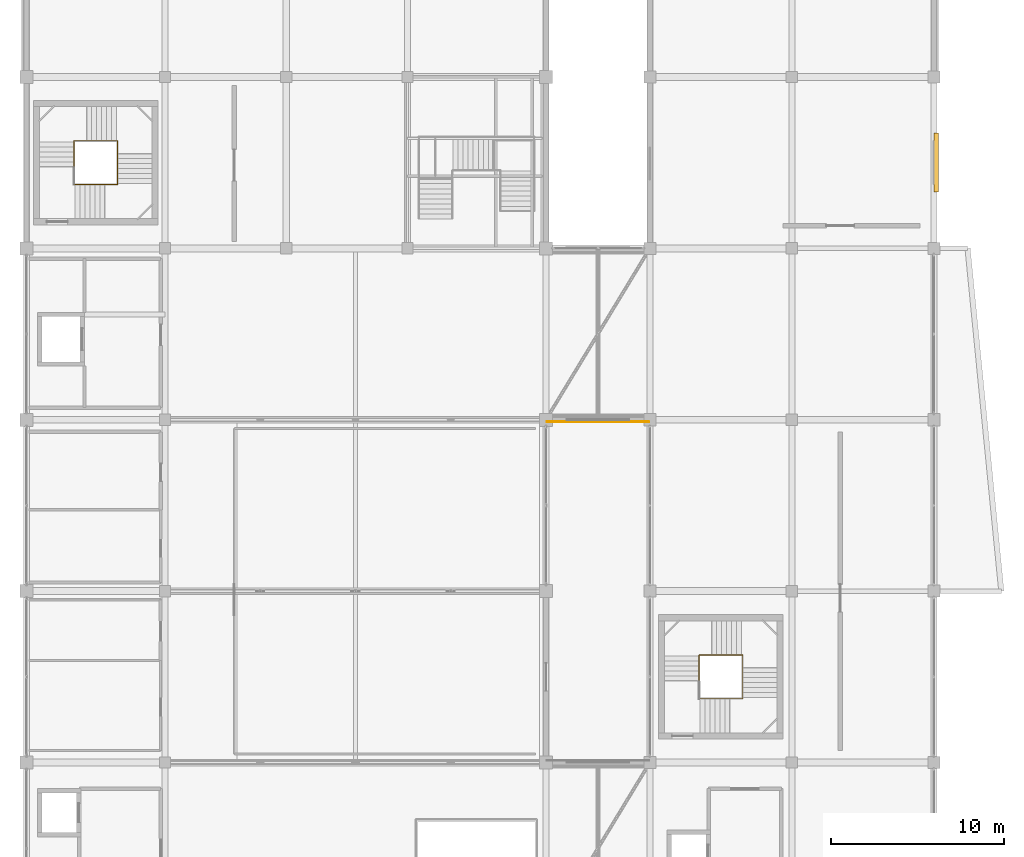
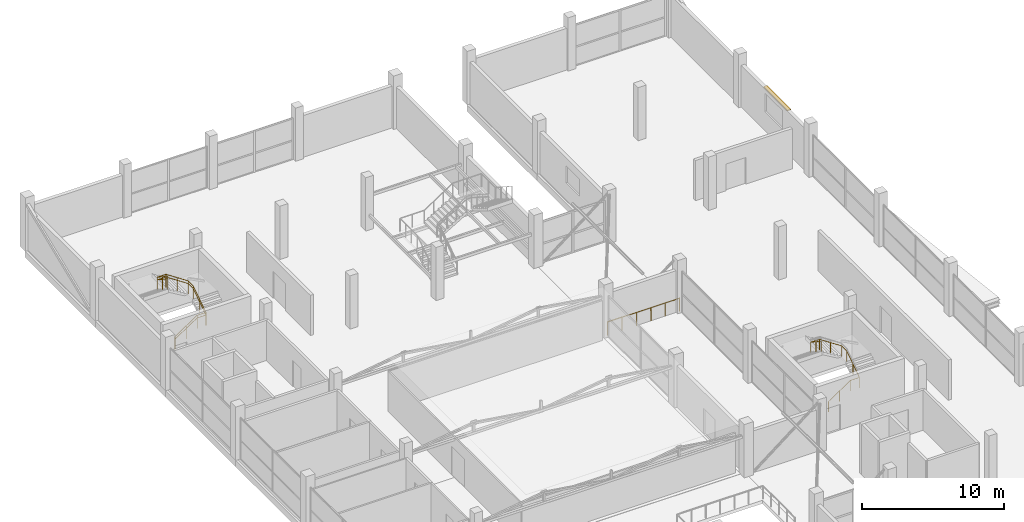
# One storey, part 69 of 69: 4 railings, 1 shading device.
"""IFC4 building model written with IfcOpenShell, lengths in metres."""

from ifc_helpers import new_model, si_unit, direction, frame, origin, origin_2d, place, context, subcontext, project, spatial, rectangle, circle, extrude, material, type_object, element, save


model = new_model("IFC4")

# Units and contexts
model_context = context("Model", 3, precision=1e-05, world=origin(), true_north=direction((0.0, 1.0)))
body_context = subcontext(model_context, "Body", "Model", "MODEL_VIEW")
ifc_project = project(units=[si_unit("LENGTHUNIT", "METRE"), si_unit("AREAUNIT", "SQUARE_METRE"), si_unit("VOLUMEUNIT", "CUBIC_METRE"), si_unit("PLANEANGLEUNIT", "RADIAN"), si_unit("MASSUNIT", "GRAM", prefix="KILO")], contexts=[model_context])

# Site, building, storey
site_placement = place(None, origin())
site = spatial("IfcSite", under=ifc_project, at=site_placement, CompositionType="ELEMENT")
building_placement = place(site_placement, origin())
building = spatial("IfcBuilding", under=site, at=building_placement, Name="Sillaruma Civic Art Gallery", CompositionType="ELEMENT")
storey_placement = place(building_placement, frame((0.0, 0.0, 42.330078125)))
storey = spatial("IfcBuildingStorey", under=building, at=storey_placement, Name="L08", CompositionType="ELEMENT", Elevation=42.330078125)

# Railings
ifc_material_1 = material(Name="Stainless Steel AISI 316", Category="steel")
railing_type_1 = type_object("IfcRailingType", Name="RAL-BAL-1150", PredefinedType="BALUSTRADE", material=ifc_material_1)
railing_1_placement = place(storey_placement, frame((92.06005859375, 69.179931640625, 0.0)))
element("IfcRailing", 1, at=railing_1_placement, inside=storey, type_object=railing_type_1, Name="Sculpture Terrace Balustrade (SLB-L08-TER-CM-2)", PredefinedType="BALUSTRADE", context=body_context, shape_type="SweptSolid", body=[
    extrude(circle(Radius=0.02392578125, at=origin_2d()), frame((0.0, 0.0, 1.1259765625), z_axis=(1.0, 0.0, 0.0), x_axis=(0.0, 1.0, 0.0)), (0.0, 0.0, 1.0), 5.8798828125),
    extrude(circle(Radius=0.02099609375, at=origin_2d()), origin(), (0.0, 0.0, 1.0), 1.101806640625),
    extrude(circle(Radius=0.02099609375, at=origin_2d()), frame((1.176025390625, 0.0, 0.0)), (0.0, 0.0, 1.0), 1.101806640625),
    extrude(circle(Radius=0.02099609375, at=origin_2d()), frame((2.35205078125, 0.0, 0.0)), (0.0, 0.0, 1.0), 1.101806640625),
    extrude(circle(Radius=0.02099609375, at=origin_2d()), frame((3.52783203125, 0.0, 0.0)), (0.0, 0.0, 1.0), 1.101806640625),
    extrude(circle(Radius=0.02099609375, at=origin_2d()), frame((4.703857421875, 0.0, 0.0)), (0.0, 0.0, 1.0), 1.101806640625),
    extrude(circle(Radius=0.02099609375, at=origin_2d()), frame((5.8798828125, 0.0, 0.0)), (0.0, 0.0, 1.0), 1.101806640625),
])
railing_2_placement = place(storey_placement, frame((64.739990234375, 82.889892578125, 0.0)))
element("IfcRailing", 2, at=railing_2_placement, inside=storey, type_object=railing_type_1, Name="Stair Well Balustrade (ST-02-L08)", PredefinedType="BALUSTRADE", context=body_context, shape_type="SweptSolid", body=[
    extrude(circle(Radius=0.02392578125, at=origin_2d()), frame((0.0, 0.0, 1.1259765625), z_axis=(0.834202413191, 0.0, 0.551458369984), x_axis=(0.0, 1.0, 0.0)), (0.0, 0.0, 1.0), 2.15771484375),
    extrude(circle(Radius=0.02392578125, at=origin_2d()), frame((1.800048828125, 0.0, 2.31591796875), z_axis=(1.0, 0.0, 0.0), x_axis=(0.0, 1.0, 0.0)), (0.0, 0.0, 1.0), 0.719970703125),
    extrude(circle(Radius=0.02392578125, at=origin_2d()), frame((2.52001953125, 0.0, 2.31591796875), z_axis=(0.0, 0.834202413191, 0.551458369984), x_axis=(-1.0, 0.0, 0.0)), (0.0, 0.0, 1.0), 2.15771484375),
    extrude(circle(Radius=0.02392578125, at=origin_2d()), frame((2.52001953125, 1.800048828125, 3.505859375), z_axis=(0.0, 1.0, 0.0), x_axis=(-1.0, 0.0, 0.0)), (0.0, 0.0, 1.0), 0.719970703125),
    extrude(circle(Radius=0.02392578125, at=origin_2d()), frame((2.52001953125, 2.52001953125, 3.505859375), z_axis=(-0.834202413191, 0.0, 0.551458369984), x_axis=(0.0, -1.0, 0.0)), (0.0, 0.0, 1.0), 2.15771484375),
    extrude(circle(Radius=0.02392578125, at=origin_2d()), frame((0.719970703125, 2.52001953125, 4.69580078125), z_axis=(-1.0, 0.0, 0.0), x_axis=(0.0, -1.0, 0.0)), (0.0, 0.0, 1.0), 0.719970703125),
    extrude(circle(Radius=0.02392578125, at=origin_2d()), frame((0.0, 2.52001953125, 4.69580078125), z_axis=(0.0, -0.828654473869, 0.559760451387), x_axis=(1.0, 0.0, 0.0)), (0.0, 0.0, 1.0), 1.822265625),
    extrude(circle(Radius=0.02099609375, at=origin_2d()), origin(), (0.0, 0.0, 1.0), 1.101806640625),
    extrude(circle(Radius=0.02099609375, at=origin_2d()), frame((0.89990234375, 0.0, 0.594970703125)), (0.0, 0.0, 1.0), 1.101806640625),
    extrude(circle(Radius=0.02099609375, at=origin_2d()), frame((1.800048828125, 0.0, 1.18994140625)), (0.0, 0.0, 1.0), 1.101806640625),
    extrude(circle(Radius=0.02099609375, at=origin_2d()), frame((2.52001953125, 0.0, 1.18994140625)), (0.0, 0.0, 1.0), 1.101806640625),
    extrude(circle(Radius=0.02099609375, at=origin_2d()), frame((2.52001953125, 0.89990234375, 1.784912109375)), (0.0, 0.0, 1.0), 1.101806640625),
    extrude(circle(Radius=0.02099609375, at=origin_2d()), frame((2.52001953125, 1.800048828125, 2.3798828125)), (0.0, 0.0, 1.0), 1.101806640625),
    extrude(circle(Radius=0.02099609375, at=origin_2d()), frame((2.52001953125, 2.52001953125, 2.3798828125)), (0.0, 0.0, 1.0), 1.101806640625),
    extrude(circle(Radius=0.02099609375, at=origin_2d()), frame((1.6201171875, 2.52001953125, 2.974853515625)), (0.0, 0.0, 1.0), 1.101806640625),
    extrude(circle(Radius=0.02099609375, at=origin_2d()), frame((0.719970703125, 2.52001953125, 3.56982421875)), (0.0, 0.0, 1.0), 1.101806640625),
    extrude(circle(Radius=0.02099609375, at=origin_2d()), frame((0.0, 2.52001953125, 3.56982421875)), (0.0, 0.0, 1.0), 1.101806640625),
    extrude(circle(Radius=0.02099609375, at=origin_2d()), frame((0.0, 1.76513671875, 4.079833984375)), (0.0, 0.0, 1.0), 1.101806640625),
    extrude(circle(Radius=0.02099609375, at=origin_2d()), frame((0.0, 1.010009765625, 4.58984375)), (0.0, 0.0, 1.0), 1.101806640625),
])
railing_type_2 = type_object("IfcRailingType", Name="RAL-HND-920", PredefinedType="HANDRAIL", material=ifc_material_1)
railing_3_placement = place(storey_placement, frame((64.739990234375, 82.889892578125, 0.0)))
element("IfcRailing", 3, at=railing_3_placement, inside=storey, type_object=railing_type_2, Name="Stair Continuous Handrail (ST-02-L08)", PredefinedType="HANDRAIL", context=body_context, shape_type="SweptSolid", body=[
    extrude(circle(Radius=0.02392578125, at=origin_2d()), frame((0.0, 0.0, 0.89599609375), z_axis=(0.834202413191, 0.0, 0.551458369984), x_axis=(0.0, 1.0, 0.0)), (0.0, 0.0, 1.0), 2.15771484375),
    extrude(circle(Radius=0.02392578125, at=origin_2d()), frame((1.800048828125, 0.0, 2.0859375), z_axis=(1.0, 0.0, 0.0), x_axis=(0.0, 1.0, 0.0)), (0.0, 0.0, 1.0), 0.719970703125),
    extrude(circle(Radius=0.02392578125, at=origin_2d()), frame((2.52001953125, 0.0, 2.0859375), z_axis=(0.0, 0.834202413191, 0.551458369984), x_axis=(-1.0, 0.0, 0.0)), (0.0, 0.0, 1.0), 2.15771484375),
    extrude(circle(Radius=0.02392578125, at=origin_2d()), frame((2.52001953125, 1.800048828125, 3.27587890625), z_axis=(0.0, 1.0, 0.0), x_axis=(-1.0, 0.0, 0.0)), (0.0, 0.0, 1.0), 0.719970703125),
    extrude(circle(Radius=0.02392578125, at=origin_2d()), frame((2.52001953125, 2.52001953125, 3.27587890625), z_axis=(-0.834202413191, 0.0, 0.551458369984), x_axis=(0.0, -1.0, 0.0)), (0.0, 0.0, 1.0), 2.15771484375),
    extrude(circle(Radius=0.02392578125, at=origin_2d()), frame((0.719970703125, 2.52001953125, 4.4658203125), z_axis=(-1.0, 0.0, 0.0), x_axis=(0.0, -1.0, 0.0)), (0.0, 0.0, 1.0), 0.719970703125),
    extrude(circle(Radius=0.02392578125, at=origin_2d()), frame((0.0, 2.52001953125, 4.4658203125), z_axis=(0.0, -0.828654473869, 0.559760451387), x_axis=(1.0, 0.0, 0.0)), (0.0, 0.0, 1.0), 1.822265625),
    extrude(circle(Radius=0.02099609375, at=origin_2d()), origin(), (0.0, 0.0, 1.0), 0.871826171875),
    extrude(circle(Radius=0.02099609375, at=origin_2d()), frame((0.89990234375, 0.0, 0.594970703125)), (0.0, 0.0, 1.0), 0.871826171875),
    extrude(circle(Radius=0.02099609375, at=origin_2d()), frame((1.800048828125, 0.0, 1.18994140625)), (0.0, 0.0, 1.0), 0.871826171875),
    extrude(circle(Radius=0.02099609375, at=origin_2d()), frame((2.52001953125, 0.0, 1.18994140625)), (0.0, 0.0, 1.0), 0.871826171875),
    extrude(circle(Radius=0.02099609375, at=origin_2d()), frame((2.52001953125, 0.89990234375, 1.784912109375)), (0.0, 0.0, 1.0), 0.871826171875),
    extrude(circle(Radius=0.02099609375, at=origin_2d()), frame((2.52001953125, 1.800048828125, 2.3798828125)), (0.0, 0.0, 1.0), 0.871826171875),
    extrude(circle(Radius=0.02099609375, at=origin_2d()), frame((2.52001953125, 2.52001953125, 2.3798828125)), (0.0, 0.0, 1.0), 0.871826171875),
    extrude(circle(Radius=0.02099609375, at=origin_2d()), frame((1.6201171875, 2.52001953125, 2.974853515625)), (0.0, 0.0, 1.0), 0.871826171875),
    extrude(circle(Radius=0.02099609375, at=origin_2d()), frame((0.719970703125, 2.52001953125, 3.56982421875)), (0.0, 0.0, 1.0), 0.871826171875),
    extrude(circle(Radius=0.02099609375, at=origin_2d()), frame((0.0, 2.52001953125, 3.56982421875)), (0.0, 0.0, 1.0), 0.871826171875),
    extrude(circle(Radius=0.02099609375, at=origin_2d()), frame((0.0, 1.76513671875, 4.079833984375)), (0.0, 0.0, 1.0), 0.871826171875),
    extrude(circle(Radius=0.02099609375, at=origin_2d()), frame((0.0, 1.010009765625, 4.58984375)), (0.0, 0.0, 1.0), 0.871826171875),
])
railing_4_placement = place(storey_placement, frame((100.840087890625, 53.18994140625, 0.0)))
element("IfcRailing", 4, at=railing_4_placement, inside=storey, type_object=railing_type_2, Name="Stair Continuous Handrail (ST-04-L08)", PredefinedType="HANDRAIL", context=body_context, shape_type="SweptSolid", body=[
    extrude(circle(Radius=0.02392578125, at=origin_2d()), frame((0.0, 0.0, 0.89599609375), z_axis=(0.834168000855, 0.0, 0.551510422703), x_axis=(0.0, 1.0, 0.0)), (0.0, 0.0, 1.0), 2.15771484375),
    extrude(circle(Radius=0.02392578125, at=origin_2d()), frame((1.7998046875, 0.0, 2.0859375), z_axis=(1.0, 0.0, 0.0), x_axis=(0.0, 1.0, 0.0)), (0.0, 0.0, 1.0), 0.72021484375),
    extrude(circle(Radius=0.02392578125, at=origin_2d()), frame((2.52001953125, 0.0, 2.0859375), z_axis=(0.0, 0.834202413191, 0.551458369984), x_axis=(-1.0, 0.0, 0.0)), (0.0, 0.0, 1.0), 2.15771484375),
    extrude(circle(Radius=0.02392578125, at=origin_2d()), frame((2.52001953125, 1.800048828125, 3.27587890625), z_axis=(0.0, 1.0, 0.0), x_axis=(-1.0, 0.0, 0.0)), (0.0, 0.0, 1.0), 0.719970703125),
    extrude(circle(Radius=0.02392578125, at=origin_2d()), frame((2.52001953125, 2.52001953125, 3.27587890625), z_axis=(-0.834202413191, 0.0, 0.551458369984), x_axis=(0.0, -1.0, 0.0)), (0.0, 0.0, 1.0), 2.15771484375),
    extrude(circle(Radius=0.02392578125, at=origin_2d()), frame((0.719970703125, 2.52001953125, 4.4658203125), z_axis=(-1.0, 0.0, 0.0), x_axis=(0.0, -1.0, 0.0)), (0.0, 0.0, 1.0), 0.719970703125),
    extrude(circle(Radius=0.02392578125, at=origin_2d()), frame((0.0, 2.52001953125, 4.4658203125), z_axis=(0.0, -0.828654473869, 0.559760451387), x_axis=(1.0, 0.0, 0.0)), (0.0, 0.0, 1.0), 1.822265625),
    extrude(circle(Radius=0.02099609375, at=origin_2d()), origin(), (0.0, 0.0, 1.0), 0.871826171875),
    extrude(circle(Radius=0.02099609375, at=origin_2d()), frame((0.89990234375, 0.0, 0.594970703125)), (0.0, 0.0, 1.0), 0.871826171875),
    extrude(circle(Radius=0.02099609375, at=origin_2d()), frame((1.7998046875, 0.0, 1.18994140625)), (0.0, 0.0, 1.0), 0.871826171875),
    extrude(circle(Radius=0.02099609375, at=origin_2d()), frame((2.52001953125, 0.0, 1.18994140625)), (0.0, 0.0, 1.0), 0.871826171875),
    extrude(circle(Radius=0.02099609375, at=origin_2d()), frame((2.52001953125, 0.89990234375, 1.784912109375)), (0.0, 0.0, 1.0), 0.871826171875),
    extrude(circle(Radius=0.02099609375, at=origin_2d()), frame((2.52001953125, 1.800048828125, 2.3798828125)), (0.0, 0.0, 1.0), 0.871826171875),
    extrude(circle(Radius=0.02099609375, at=origin_2d()), frame((2.52001953125, 2.52001953125, 2.3798828125)), (0.0, 0.0, 1.0), 0.871826171875),
    extrude(circle(Radius=0.02099609375, at=origin_2d()), frame((1.6201171875, 2.52001953125, 2.974853515625)), (0.0, 0.0, 1.0), 0.871826171875),
    extrude(circle(Radius=0.02099609375, at=origin_2d()), frame((0.719970703125, 2.52001953125, 3.56982421875)), (0.0, 0.0, 1.0), 0.871826171875),
    extrude(circle(Radius=0.02099609375, at=origin_2d()), frame((0.0, 2.52001953125, 3.56982421875)), (0.0, 0.0, 1.0), 0.871826171875),
    extrude(circle(Radius=0.02099609375, at=origin_2d()), frame((0.0, 1.76513671875, 4.079833984375)), (0.0, 0.0, 1.0), 0.871826171875),
    extrude(circle(Radius=0.02099609375, at=origin_2d()), frame((0.0, 1.010009765625, 4.58984375)), (0.0, 0.0, 1.0), 0.871826171875),
])

# Shading device
ifc_material_2 = material(Name="Anodised Extruded Aluminium 6063-T6", Category="aluminium")
shading_device_type = type_object("IfcShadingDeviceType", Name="SHD-LOU-01", PredefinedType="USERDEFINED", material=ifc_material_2)
shading_device_placement = place(storey_placement, frame((114.5400390625, 84.14990234375, 3.419921875), z_axis=(0.0, 0.0, 1.0), x_axis=(0.0, 1.0, 0.0)))
element("IfcShadingDevice", 5, at=shading_device_placement, inside=storey, type_object=shading_device_type, Name="Studio Solar Louvre Baffle (L08-7)", ObjectType="LOUVRE", PredefinedType="USERDEFINED", context=body_context, shape_type="SweptSolid", body=[
    extrude(rectangle(XDim=3.39990234375, YDim=0.280029296875, at=origin_2d()), origin(), (0.0, 0.0, 1.0), 0.06005859375),
])

save(model, "model.ifc")
